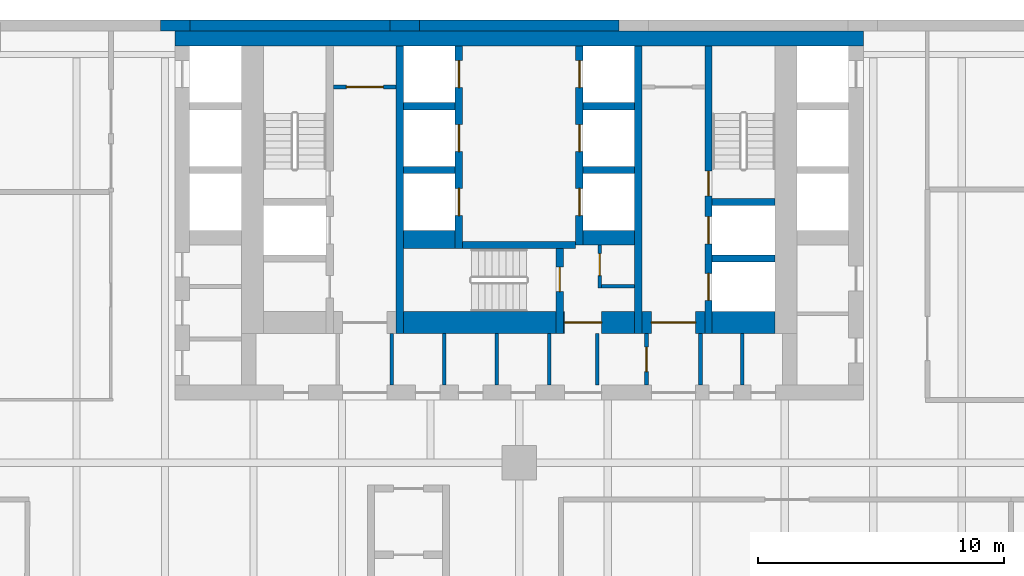
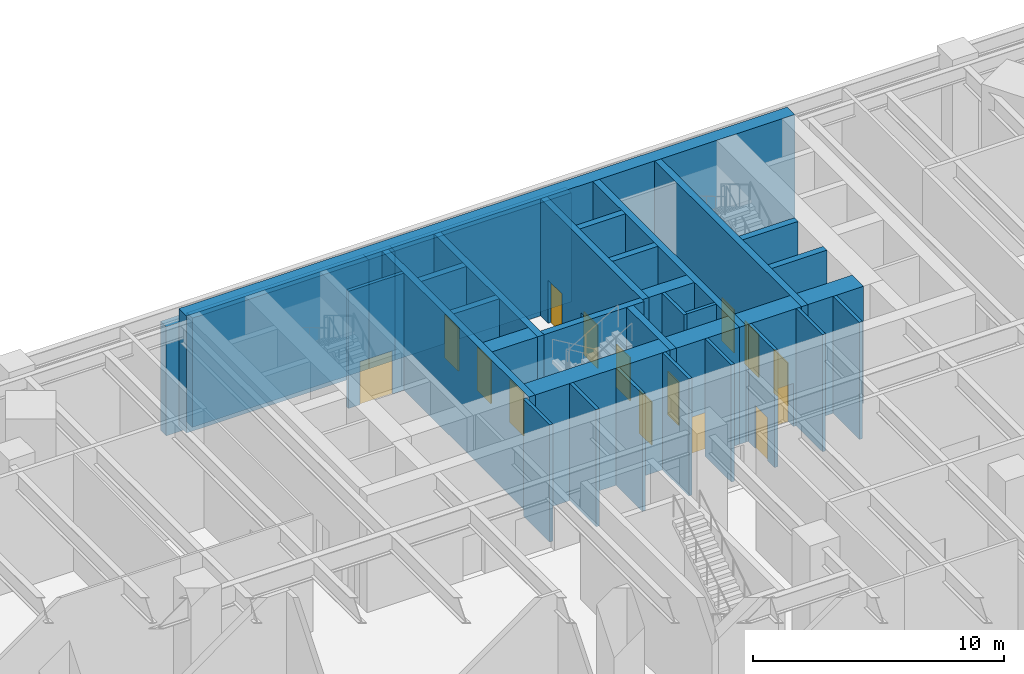
# One storey, part 33 of 37: 35 walls, 15 doors, 15 openings.
"""IFC4 building model written with IfcOpenShell, lengths in metres."""

from ifc_helpers import new_model, si_unit, direction, frame, frame_2d, origin, place, context, subcontext, project, spatial, rectangle, extrude, material, layer, layer_set, type_object, element, fill, save


model = new_model("IFC4")

# Units and contexts
model_context = context("Model", 3, precision=1e-05, world=origin(), true_north=direction((0.0, 1.0)))
body_context = subcontext(model_context, "Body", "Model", "MODEL_VIEW")
ifc_project = project(units=[si_unit("LENGTHUNIT", "METRE"), si_unit("AREAUNIT", "SQUARE_METRE"), si_unit("VOLUMEUNIT", "CUBIC_METRE"), si_unit("PLANEANGLEUNIT", "RADIAN"), si_unit("MASSUNIT", "GRAM", prefix="KILO")], contexts=[model_context])

# Site, building, storey
site_placement = place(None, origin())
site = spatial("IfcSite", under=ifc_project, at=site_placement, CompositionType="ELEMENT")
building_placement = place(site_placement, origin())
building = spatial("IfcBuilding", under=site, at=building_placement, Name="Aloe Facet Convention Tower", CompositionType="ELEMENT")
storey_placement = place(building_placement, frame((0.0, 0.0, 7.5)))
storey = spatial("IfcBuildingStorey", under=building, at=storey_placement, Name="L01", CompositionType="ELEMENT", Elevation=7.5)

# Wall, opening, door
ifc_material_1 = material(Name="Concrete blockwork partition", Category="masonry")
ifc_layer_1 = layer(ifc_material_1, 0.14990234375)
ifc_layer_set_1 = layer_set([ifc_layer_1], Name="CR-W-PART150")
wall_type_1 = type_object("IfcWallType", Name="CR-W-PART150", PredefinedType="PARTITIONING", material=ifc_layer_set_1)
wall_1_placement = place(storey_placement, frame((72.449951171875, 132.27490234375, 0.0), z_axis=(0.0, 0.0, 1.0), x_axis=(1.0, 0.0, 0.0)))
wall_1 = element("IfcWall", 1, at=wall_1_placement, inside=storey, type_object=wall_type_1, Name="Core partition L01-015", PredefinedType="PARTITIONING", context=body_context, shape_type="SweptSolid", body=[
    extrude(rectangle(XDim=2.550048828125, YDim=0.14990234375, at=frame_2d((1.27490234375, 0.0))), origin(), (0.0, 0.0, 1.0), 5.699951171875),
])
opening_1_placement = place(wall_1_placement, frame((0.52490234375, 0.0, 0.0)))
opening_1 = element("IfcOpeningElement", 2, at=opening_1_placement, cuts=wall_1, Name="Opening L01-CD21", PredefinedType="OPENING", context=body_context, shape_type="SweptSolid", body=[
    extrude(rectangle(XDim=1.5, YDim=2.10009765625, at=frame_2d((0.75, 1.050048828125))), frame((0.0, 0.0849609375, 0.0), z_axis=(0.0, -1.0, 0.0), x_axis=(1.0, 0.0, 0.0)), (0.0, 0.0, 1.0), 0.169921875),
])
ifc_material_2 = material(Name="Steel fire-resisting door set FD60", Category="steel")
door_type_1 = type_object("IfcDoorType", Name="CR-D-REFUGE-1500-FD60-DD", OperationType="DOUBLE_DOOR_DOUBLE_SWING", PredefinedType="DOOR", material=ifc_material_2)
door_1_placement = place(opening_1_placement, origin())
door_1 = element("IfcDoor", 3, at=door_1_placement, inside=storey, type_object=door_type_1, Name="Core door L01-CD21", OperationType="DOUBLE_DOOR_DOUBLE_SWING", OverallHeight=2.10009765625, OverallWidth=1.5, PredefinedType="DOOR", context=body_context, shape_type="SweptSolid", body=[
    extrude(rectangle(XDim=1.5, YDim=2.10009765625, at=frame_2d((0.75, 1.050048828125))), frame((0.0, 0.02490234375, 0.0), z_axis=(0.0, -1.0, 0.0), x_axis=(1.0, 0.0, 0.0)), (0.0, 0.0, 1.0), 0.050048828125),
])
fill(opening_1, door_1)

# Walls
for number, where, z_axis, x_axis, name in (
    (4, (74.824951171875, 122.25, 0.0), (0.0, 0.0, 1.0), (0.0, -1.0, 0.0), "Core partition L01-018"),
    (5, (76.958251953125, 122.25, 0.0), (0.0, 0.0, 1.0), (0.0, -1.0, 0.0), "Core partition L01-024"),
    (6, (79.091552734375, 122.25, 0.0), (0.0, 0.0, 1.0), (0.0, -1.0, 0.0), "Core partition L01-027"),
    (7, (81.22509765625, 122.25, 0.0), (0.0, 0.0, 1.0), (0.0, -1.0, 0.0), "Core partition L01-028"),
    (8, (83.175048828125, 122.25, 0.0), (0.0, 0.0, 1.0), (0.0, -1.0, 0.0), "Core partition L01-035"),
):
    element("IfcWall", number, at=place(storey_placement, frame(where, z_axis=z_axis, x_axis=x_axis)), inside=storey, type_object=wall_type_1, Name=name, PredefinedType="PARTITIONING", context=body_context, shape_type="SweptSolid", body=[
        extrude(rectangle(XDim=2.10009765625, YDim=0.14990234375, at=frame_2d((1.050048828125, 0.0))), origin(), (0.0, 0.0, 1.0), 5.699951171875),
    ])

# Wall, opening, door
wall_2_placement = place(storey_placement, frame((83.27490234375, 125.85009765625, 0.0), z_axis=(0.0, 0.0, 1.0), x_axis=(0.0, -1.0, 0.0)))
wall_2 = element("IfcWall", 9, at=wall_2_placement, inside=storey, type_object=wall_type_1, Name="Core partition L01-036", PredefinedType="PARTITIONING", context=body_context, shape_type="SweptSolid", body=[
    extrude(rectangle(XDim=1.75, YDim=0.14990234375, at=frame_2d((0.875, 0.0))), origin(), (0.0, 0.0, 1.0), 5.699951171875),
])
opening_2_placement = place(wall_2_placement, frame((0.35009765625, 0.0, 0.0)))
opening_2 = element("IfcOpeningElement", 10, at=opening_2_placement, cuts=wall_2, Name="Opening L01-CD19", PredefinedType="OPENING", context=body_context, shape_type="SweptSolid", body=[
    extrude(rectangle(XDim=0.89990234375, YDim=2.10009765625, at=frame_2d((0.449951171875, 1.050048828125))), frame((0.0, 0.0849609375, 0.0), z_axis=(0.0, -1.0, 0.0), x_axis=(1.0, 0.0, 0.0)), (0.0, 0.0, 1.0), 0.169921875),
])
ifc_material_3 = material(Name="Steel fire-resisting door set FD60", Category="steel")
door_type_2 = type_object("IfcDoorType", Name="CR-D-REFUGE-900-FD60-SRIGHT", OperationType="SINGLE_SWING_RIGHT", PredefinedType="DOOR", material=ifc_material_3)
door_2_placement = place(opening_2_placement, origin())
door_2 = element("IfcDoor", 11, at=door_2_placement, inside=storey, type_object=door_type_2, Name="Core door L01-CD19", OperationType="SINGLE_SWING_RIGHT", OverallHeight=2.10009765625, OverallWidth=0.89990234375, PredefinedType="DOOR", context=body_context, shape_type="SweptSolid", body=[
    extrude(rectangle(XDim=0.89990234375, YDim=2.10009765625, at=frame_2d((0.449951171875, 1.050048828125))), frame((0.0, 0.02490234375, 0.0), z_axis=(0.0, -1.0, 0.0), x_axis=(1.0, 0.0, 0.0)), (0.0, 0.0, 1.0), 0.050048828125),
])
fill(opening_2, door_2)

# Wall
wall_3_placement = place(storey_placement, frame((83.35009765625, 124.175048828125, 0.0), z_axis=(0.0, 0.0, 1.0), x_axis=(1.0, 0.0, 0.0)))
element("IfcWall", 12, at=wall_3_placement, inside=storey, type_object=wall_type_1, Name="Core partition L01-037", PredefinedType="PARTITIONING", context=body_context, shape_type="SweptSolid", body=[
    extrude(rectangle(XDim=1.349853515625, YDim=0.14990234375, at=frame_2d((0.6748046875, 0.0))), origin(), (0.0, 0.0, 1.0), 5.699951171875),
])

# Wall, opening, door
wall_4_placement = place(storey_placement, frame((85.175048828125, 122.25, 0.0), z_axis=(0.0, 0.0, 1.0), x_axis=(0.0, -1.0, 0.0)))
wall_4 = element("IfcWall", 13, at=wall_4_placement, inside=storey, type_object=wall_type_1, Name="Core partition L01-041", PredefinedType="PARTITIONING", context=body_context, shape_type="SweptSolid", body=[
    extrude(rectangle(XDim=2.10009765625, YDim=0.14990234375, at=frame_2d((1.050048828125, 0.0))), origin(), (0.0, 0.0, 1.0), 5.699951171875),
])
opening_3_placement = place(wall_4_placement, frame((0.550048828125, 0.0, 0.0)))
opening_3 = element("IfcOpeningElement", 14, at=opening_3_placement, cuts=wall_4, Name="Opening L01-CD27", PredefinedType="OPENING", context=body_context, shape_type="SweptSolid", body=[
    extrude(rectangle(XDim=1.0, YDim=2.10009765625, at=frame_2d((0.5, 1.050048828125))), frame((0.0, 0.0849609375, 0.0), z_axis=(0.0, -1.0, 0.0), x_axis=(1.0, 0.0, 0.0)), (0.0, 0.0, 1.0), 0.169921875),
])
ifc_material_4 = material(Name="Steel fire-resisting door set FD60", Category="steel")
door_type_3 = type_object("IfcDoorType", Name="CR-D-ROOM-1000-FD60-SRIGHT", OperationType="SINGLE_SWING_RIGHT", PredefinedType="DOOR", material=ifc_material_4)
door_3_placement = place(opening_3_placement, origin())
door_3 = element("IfcDoor", 15, at=door_3_placement, inside=storey, type_object=door_type_3, Name="Core door L01-CD27", OperationType="SINGLE_SWING_RIGHT", OverallHeight=2.10009765625, OverallWidth=1.0, PredefinedType="DOOR", context=body_context, shape_type="SweptSolid", body=[
    extrude(rectangle(XDim=1.0, YDim=2.10009765625, at=frame_2d((0.5, 1.050048828125))), frame((0.0, 0.02490234375, 0.0), z_axis=(0.0, -1.0, 0.0), x_axis=(1.0, 0.0, 0.0)), (0.0, 0.0, 1.0), 0.050048828125),
])
fill(opening_3, door_3)

# Walls
for number, where, z_axis, x_axis, name in (
    (16, (87.375, 122.25, 0.0), (0.0, 0.0, 1.0), (0.0, -1.0, 0.0), "Core partition L01-042"),
    (17, (89.074951171875, 122.25, 0.0), (0.0, 0.0, 1.0), (0.0, -1.0, 0.0), "Core partition L01-047"),
):
    element("IfcWall", number, at=place(storey_placement, frame(where, z_axis=z_axis, x_axis=x_axis)), inside=storey, type_object=wall_type_1, Name=name, PredefinedType="PARTITIONING", context=body_context, shape_type="SweptSolid", body=[
        extrude(rectangle(XDim=2.10009765625, YDim=0.14990234375, at=frame_2d((1.050048828125, 0.0))), origin(), (0.0, 0.0, 1.0), 5.699951171875),
    ])
ifc_material_5 = material(Name="Concrete C80/95", Category="concrete")
ifc_layer_2 = layer(ifc_material_5, 0.300048828125)
ifc_layer_set_2 = layer_set([ifc_layer_2], Name="CR-W-RC300-C8095")
wall_type_2 = type_object("IfcWallType", Name="CR-W-RC300-C8095", PredefinedType="SOLIDWALL", material=ifc_layer_set_2)
wall_5_placement = place(storey_placement, frame((75.14990234375, 133.949951171875, 0.0), z_axis=(0.0, 0.0, 1.0), x_axis=(0.0, -1.0, 0.0)))
element("IfcWall", 18, at=wall_5_placement, inside=storey, type_object=wall_type_2, Name="Core wall L01-019", PredefinedType="SOLIDWALL", context=body_context, shape_type="SweptSolid", body=[
    extrude(rectangle(XDim=11.699951171875, YDim=0.300048828125, at=frame_2d((5.85009765625, 0.0))), origin(), (0.0, 0.0, 1.0), 5.699951171875),
])
for number, where, z_axis, x_axis, name in (
    (19, (75.300048828125, 131.5, 0.0), (0.0, 0.0, 1.0), (1.0, 0.0, 0.0), "Core wall L01-020"),
    (20, (75.300048828125, 128.89990234375, 0.0), (0.0, 0.0, 1.0), (1.0, 0.0, 0.0), "Core wall L01-021"),
):
    element("IfcWall", number, at=place(storey_placement, frame(where, z_axis=z_axis, x_axis=x_axis)), inside=storey, type_object=wall_type_2, Name=name, PredefinedType="SOLIDWALL", context=body_context, shape_type="SweptSolid", body=[
        extrude(rectangle(XDim=2.099853515625, YDim=0.300048828125, at=frame_2d((1.0498046875, 0.0))), origin(), (0.0, 0.0, 1.0), 5.699951171875),
    ])

# Wall, openings, doors
wall_6_placement = place(storey_placement, frame((77.550048828125, 133.949951171875, 0.0), z_axis=(0.0, 0.0, 1.0), x_axis=(0.0, -1.0, 0.0)))
wall_6 = element("IfcWall", 21, at=wall_6_placement, inside=storey, type_object=wall_type_2, Name="Core wall L01-025", PredefinedType="SOLIDWALL", context=body_context, shape_type="SweptSolid", body=[
    extrude(rectangle(XDim=8.25, YDim=0.300048828125, at=frame_2d((4.125, 0.0))), origin(), (0.0, 0.0, 1.0), 5.699951171875),
])
opening_4_placement = place(wall_6_placement, frame((0.60009765625, 0.0, 0.0)))
opening_4 = element("IfcOpeningElement", 22, at=opening_4_placement, cuts=wall_6, Name="Opening LD-A1-L01", PredefinedType="OPENING", context=body_context, shape_type="SweptSolid", body=[
    extrude(rectangle(XDim=1.10009765625, YDim=2.10009765625, at=frame_2d((0.550048828125, 1.050048828125))), frame((0.0, 0.16015625, 0.0), z_axis=(0.0, -1.0, 0.0), x_axis=(1.0, 0.0, 0.0)), (0.0, 0.0, 1.0), 0.320068359375),
])
opening_5_placement = place(wall_6_placement, frame((3.199951171875, 0.0, 0.0)))
opening_5 = element("IfcOpeningElement", 23, at=opening_5_placement, cuts=wall_6, Name="Opening LD-A2-L01", PredefinedType="OPENING", context=body_context, shape_type="SweptSolid", body=[
    extrude(rectangle(XDim=1.10009765625, YDim=2.10009765625, at=frame_2d((0.550048828125, 1.050048828125))), frame((0.0, 0.16015625, 0.0), z_axis=(0.0, -1.0, 0.0), x_axis=(1.0, 0.0, 0.0)), (0.0, 0.0, 1.0), 0.320068359375),
])
opening_6_placement = place(wall_6_placement, frame((5.800048828125, 0.0, 0.0)))
opening_6 = element("IfcOpeningElement", 24, at=opening_6_placement, cuts=wall_6, Name="Opening LD-A3-L01", PredefinedType="OPENING", context=body_context, shape_type="SweptSolid", body=[
    extrude(rectangle(XDim=1.10009765625, YDim=2.10009765625, at=frame_2d((0.550048828125, 1.050048828125))), frame((0.0, 0.16015625, 0.0), z_axis=(0.0, -1.0, 0.0), x_axis=(1.0, 0.0, 0.0)), (0.0, 0.0, 1.0), 0.320068359375),
])
ifc_material_6 = material(Name="Stainless steel sliding landing door", Category="steel")
door_type_4 = type_object("IfcDoorType", Name="CR-LD-1100-FD60-RIGHT", OperationType="SLIDING_TO_RIGHT", PredefinedType="DOOR", material=ifc_material_6)
door_4_placement = place(opening_4_placement, origin())
door_4 = element("IfcDoor", 25, at=door_4_placement, inside=storey, type_object=door_type_4, Name="Landing door A1 L01", OperationType="SLIDING_TO_RIGHT", OverallHeight=2.10009765625, OverallWidth=1.10009765625, PredefinedType="DOOR", context=body_context, shape_type="SweptSolid", body=[
    extrude(rectangle(XDim=1.10009765625, YDim=2.10009765625, at=frame_2d((0.550048828125, 1.050048828125))), frame((0.0, 0.02490234375, 0.0), z_axis=(0.0, -1.0, 0.0), x_axis=(1.0, 0.0, 0.0)), (0.0, 0.0, 1.0), 0.050048828125),
])
fill(opening_4, door_4)
door_5_placement = place(opening_5_placement, origin())
door_5 = element("IfcDoor", 26, at=door_5_placement, inside=storey, type_object=door_type_4, Name="Landing door A2 L01", OperationType="SLIDING_TO_RIGHT", OverallHeight=2.10009765625, OverallWidth=1.10009765625, PredefinedType="DOOR", context=body_context, shape_type="SweptSolid", body=[
    extrude(rectangle(XDim=1.10009765625, YDim=2.10009765625, at=frame_2d((0.550048828125, 1.050048828125))), frame((0.0, 0.02490234375, 0.0), z_axis=(0.0, -1.0, 0.0), x_axis=(1.0, 0.0, 0.0)), (0.0, 0.0, 1.0), 0.050048828125),
])
fill(opening_5, door_5)
door_6_placement = place(opening_6_placement, origin())
door_6 = element("IfcDoor", 27, at=door_6_placement, inside=storey, type_object=door_type_4, Name="Landing door A3 L01", OperationType="SLIDING_TO_RIGHT", OverallHeight=2.10009765625, OverallWidth=1.10009765625, PredefinedType="DOOR", context=body_context, shape_type="SweptSolid", body=[
    extrude(rectangle(XDim=1.10009765625, YDim=2.10009765625, at=frame_2d((0.550048828125, 1.050048828125))), frame((0.0, 0.02490234375, 0.0), z_axis=(0.0, -1.0, 0.0), x_axis=(1.0, 0.0, 0.0)), (0.0, 0.0, 1.0), 0.050048828125),
])
fill(opening_6, door_6)

# Wall
wall_7_placement = place(storey_placement, frame((77.699951171875, 125.85009765625, 0.0), z_axis=(0.0, 0.0, 1.0), x_axis=(1.0, 0.0, 0.0)))
element("IfcWall", 28, at=wall_7_placement, inside=storey, type_object=wall_type_2, Name="Core wall L01-026", PredefinedType="SOLIDWALL", context=body_context, shape_type="SweptSolid", body=[
    extrude(rectangle(XDim=4.60009765625, YDim=0.300048828125, at=frame_2d((2.300048828125, 0.0))), origin(), (0.0, 0.0, 1.0), 5.699951171875),
])

# Wall, opening, door
wall_8_placement = place(storey_placement, frame((81.64990234375, 125.699951171875, 0.0), z_axis=(0.0, 0.0, 1.0), x_axis=(0.0, -1.0, 0.0)))
wall_8 = element("IfcWall", 29, at=wall_8_placement, inside=storey, type_object=wall_type_2, Name="Core wall L01-029", PredefinedType="SOLIDWALL", context=body_context, shape_type="SweptSolid", body=[
    extrude(rectangle(XDim=3.449951171875, YDim=0.300048828125, at=frame_2d((1.72509765625, 0.0))), origin(), (0.0, 0.0, 1.0), 5.699951171875),
])
opening_7_placement = place(wall_8_placement, frame((0.75, 0.0, 0.0)))
opening_7 = element("IfcOpeningElement", 30, at=opening_7_placement, cuts=wall_8, Name="Opening L01-CD32", PredefinedType="OPENING", context=body_context, shape_type="SweptSolid", body=[
    extrude(rectangle(XDim=1.0, YDim=2.10009765625, at=frame_2d((0.5, 1.050048828125))), frame((0.0, 0.16015625, 0.0), z_axis=(0.0, -1.0, 0.0), x_axis=(1.0, 0.0, 0.0)), (0.0, 0.0, 1.0), 0.320068359375),
])
ifc_material_7 = material(Name="Steel fire-resisting door set FD120", Category="steel")
door_type_5 = type_object("IfcDoorType", Name="CR-D-STAIR-1000-FD120-SLEFT", OperationType="SINGLE_SWING_LEFT", PredefinedType="DOOR", material=ifc_material_7)
door_7_placement = place(opening_7_placement, origin())
door_7 = element("IfcDoor", 31, at=door_7_placement, inside=storey, type_object=door_type_5, Name="Core door L01-CD32", OperationType="SINGLE_SWING_LEFT", OverallHeight=2.10009765625, OverallWidth=1.0, PredefinedType="DOOR", context=body_context, shape_type="SweptSolid", body=[
    extrude(rectangle(XDim=1.0, YDim=2.10009765625, at=frame_2d((0.5, 1.050048828125))), frame((0.0, 0.02490234375, 0.0), z_axis=(0.0, -1.0, 0.0), x_axis=(1.0, 0.0, 0.0)), (0.0, 0.0, 1.0), 0.050048828125),
])
fill(opening_7, door_7)

# Wall, openings, doors
wall_9_placement = place(storey_placement, frame((82.449951171875, 133.949951171875, 0.0), z_axis=(0.0, 0.0, 1.0), x_axis=(0.0, -1.0, 0.0)))
wall_9 = element("IfcWall", 32, at=wall_9_placement, inside=storey, type_object=wall_type_2, Name="Core wall L01-031", PredefinedType="SOLIDWALL", context=body_context, shape_type="SweptSolid", body=[
    extrude(rectangle(XDim=8.099853515625, YDim=0.300048828125, at=frame_2d((4.0498046875, 0.0))), origin(), (0.0, 0.0, 1.0), 5.699951171875),
])
opening_8_placement = place(wall_9_placement, frame((0.60009765625, 0.0, 0.0)))
opening_8 = element("IfcOpeningElement", 33, at=opening_8_placement, cuts=wall_9, Name="Opening LD-A4-L01", PredefinedType="OPENING", context=body_context, shape_type="SweptSolid", body=[
    extrude(rectangle(XDim=1.10009765625, YDim=2.10009765625, at=frame_2d((0.550048828125, 1.050048828125))), frame((0.0, 0.16015625, 0.0), z_axis=(0.0, -1.0, 0.0), x_axis=(1.0, 0.0, 0.0)), (0.0, 0.0, 1.0), 0.320068359375),
])
opening_9_placement = place(wall_9_placement, frame((3.199951171875, 0.0, 0.0)))
opening_9 = element("IfcOpeningElement", 34, at=opening_9_placement, cuts=wall_9, Name="Opening LD-A5-L01", PredefinedType="OPENING", context=body_context, shape_type="SweptSolid", body=[
    extrude(rectangle(XDim=1.10009765625, YDim=2.10009765625, at=frame_2d((0.550048828125, 1.050048828125))), frame((0.0, 0.16015625, 0.0), z_axis=(0.0, -1.0, 0.0), x_axis=(1.0, 0.0, 0.0)), (0.0, 0.0, 1.0), 0.320068359375),
])
opening_10_placement = place(wall_9_placement, frame((5.800048828125, 0.0, 0.0)))
opening_10 = element("IfcOpeningElement", 35, at=opening_10_placement, cuts=wall_9, Name="Opening LD-A6-L01", PredefinedType="OPENING", context=body_context, shape_type="SweptSolid", body=[
    extrude(rectangle(XDim=1.10009765625, YDim=2.10009765625, at=frame_2d((0.550048828125, 1.050048828125))), frame((0.0, 0.16015625, 0.0), z_axis=(0.0, -1.0, 0.0), x_axis=(1.0, 0.0, 0.0)), (0.0, 0.0, 1.0), 0.320068359375),
])
ifc_material_8 = material(Name="Stainless steel sliding landing door", Category="steel")
door_type_6 = type_object("IfcDoorType", Name="CR-LD-1100-FD60-_LEFT", OperationType="SLIDING_TO_LEFT", PredefinedType="DOOR", material=ifc_material_8)
door_8_placement = place(opening_8_placement, origin())
door_8 = element("IfcDoor", 36, at=door_8_placement, inside=storey, type_object=door_type_6, Name="Landing door A4 L01", OperationType="SLIDING_TO_LEFT", OverallHeight=2.10009765625, OverallWidth=1.10009765625, PredefinedType="DOOR", context=body_context, shape_type="SweptSolid", body=[
    extrude(rectangle(XDim=1.10009765625, YDim=2.10009765625, at=frame_2d((0.550048828125, 1.050048828125))), frame((0.0, 0.02490234375, 0.0), z_axis=(0.0, -1.0, 0.0), x_axis=(1.0, 0.0, 0.0)), (0.0, 0.0, 1.0), 0.050048828125),
])
fill(opening_8, door_8)
door_9_placement = place(opening_9_placement, origin())
door_9 = element("IfcDoor", 37, at=door_9_placement, inside=storey, type_object=door_type_6, Name="Landing door A5 L01", OperationType="SLIDING_TO_LEFT", OverallHeight=2.10009765625, OverallWidth=1.10009765625, PredefinedType="DOOR", context=body_context, shape_type="SweptSolid", body=[
    extrude(rectangle(XDim=1.10009765625, YDim=2.10009765625, at=frame_2d((0.550048828125, 1.050048828125))), frame((0.0, 0.02490234375, 0.0), z_axis=(0.0, -1.0, 0.0), x_axis=(1.0, 0.0, 0.0)), (0.0, 0.0, 1.0), 0.050048828125),
])
fill(opening_9, door_9)
door_10_placement = place(opening_10_placement, origin())
door_10 = element("IfcDoor", 38, at=door_10_placement, inside=storey, type_object=door_type_6, Name="Landing door A6 L01", OperationType="SLIDING_TO_LEFT", OverallHeight=2.10009765625, OverallWidth=1.10009765625, PredefinedType="DOOR", context=body_context, shape_type="SweptSolid", body=[
    extrude(rectangle(XDim=1.10009765625, YDim=2.10009765625, at=frame_2d((0.550048828125, 1.050048828125))), frame((0.0, 0.02490234375, 0.0), z_axis=(0.0, -1.0, 0.0), x_axis=(1.0, 0.0, 0.0)), (0.0, 0.0, 1.0), 0.050048828125),
])
fill(opening_10, door_10)

# Walls
for number, where, z_axis, x_axis, name in (
    (39, (82.60009765625, 131.5, 0.0), (0.0, 0.0, 1.0), (1.0, 0.0, 0.0), "Core wall L01-032"),
    (40, (82.60009765625, 128.89990234375, 0.0), (0.0, 0.0, 1.0), (1.0, 0.0, 0.0), "Core wall L01-033"),
):
    element("IfcWall", number, at=place(storey_placement, frame(where, z_axis=z_axis, x_axis=x_axis)), inside=storey, type_object=wall_type_2, Name=name, PredefinedType="SOLIDWALL", context=body_context, shape_type="SweptSolid", body=[
        extrude(rectangle(XDim=2.099853515625, YDim=0.300048828125, at=frame_2d((1.0498046875, 0.0))), origin(), (0.0, 0.0, 1.0), 5.699951171875),
    ])
wall_10_placement = place(storey_placement, frame((84.85009765625, 133.949951171875, 0.0), z_axis=(0.0, 0.0, 1.0), x_axis=(0.0, -1.0, 0.0)))
element("IfcWall", 41, at=wall_10_placement, inside=storey, type_object=wall_type_2, Name="Core wall L01-038", PredefinedType="SOLIDWALL", context=body_context, shape_type="SweptSolid", body=[
    extrude(rectangle(XDim=11.699951171875, YDim=0.300048828125, at=frame_2d((5.85009765625, 0.0))), origin(), (0.0, 0.0, 1.0), 5.699951171875),
])

# Wall, openings, doors
wall_11_placement = place(storey_placement, frame((87.699951171875, 133.949951171875, 0.0), z_axis=(0.0, 0.0, 1.0), x_axis=(0.0, -1.0, 0.0)))
wall_11 = element("IfcWall", 42, at=wall_11_placement, inside=storey, type_object=wall_type_2, Name="Core wall L01-043", PredefinedType="SOLIDWALL", context=body_context, shape_type="SweptSolid", body=[
    extrude(rectangle(XDim=11.699951171875, YDim=0.300048828125, at=frame_2d((5.85009765625, 0.0))), origin(), (0.0, 0.0, 1.0), 5.699951171875),
])
opening_11_placement = place(wall_11_placement, frame((6.949951171875, 0.0, 0.0)))
opening_11 = element("IfcOpeningElement", 43, at=opening_11_placement, cuts=wall_11, Name="Opening LD-FF2-L01", PredefinedType="OPENING", context=body_context, shape_type="SweptSolid", body=[
    extrude(rectangle(XDim=1.10009765625, YDim=2.10009765625, at=frame_2d((0.550048828125, 1.050048828125))), frame((0.0, 0.16015625, 0.0), z_axis=(0.0, -1.0, 0.0), x_axis=(1.0, 0.0, 0.0)), (0.0, 0.0, 1.0), 0.320068359375),
])
opening_12_placement = place(wall_11_placement, frame((5.10009765625, 0.0, 0.0)))
opening_12 = element("IfcOpeningElement", 44, at=opening_12_placement, cuts=wall_11, Name="Opening L01-CD31", PredefinedType="OPENING", context=body_context, shape_type="SweptSolid", body=[
    extrude(rectangle(XDim=1.0, YDim=2.10009765625, at=frame_2d((0.5, 1.050048828125))), frame((0.0, 0.16015625, 0.0), z_axis=(0.0, -1.0, 0.0), x_axis=(1.0, 0.0, 0.0)), (0.0, 0.0, 1.0), 0.320068359375),
])
opening_13_placement = place(wall_11_placement, frame((9.25, 0.0, 0.0)))
opening_13 = element("IfcOpeningElement", 45, at=opening_13_placement, cuts=wall_11, Name="Opening LD-SV1-L01", PredefinedType="OPENING", context=body_context, shape_type="SweptSolid", body=[
    extrude(rectangle(XDim=1.10009765625, YDim=2.10009765625, at=frame_2d((0.550048828125, 1.050048828125))), frame((0.0, 0.16015625, 0.0), z_axis=(0.0, -1.0, 0.0), x_axis=(1.0, 0.0, 0.0)), (0.0, 0.0, 1.0), 0.320068359375),
])
door_11_placement = place(opening_12_placement, origin())
door_11 = element("IfcDoor", 46, at=door_11_placement, inside=storey, type_object=door_type_5, Name="Core door L01-CD31", OperationType="SINGLE_SWING_LEFT", OverallHeight=2.10009765625, OverallWidth=1.0, PredefinedType="DOOR", context=body_context, shape_type="SweptSolid", body=[
    extrude(rectangle(XDim=1.0, YDim=2.10009765625, at=frame_2d((0.5, 1.050048828125))), frame((0.0, 0.02490234375, 0.0), z_axis=(0.0, -1.0, 0.0), x_axis=(1.0, 0.0, 0.0)), (0.0, 0.0, 1.0), 0.050048828125),
])
fill(opening_12, door_11)
ifc_material_9 = material(Name="Stainless steel sliding landing door", Category="steel")
door_type_7 = type_object("IfcDoorType", Name="CR-LD-1100-FD120-_LEFT", OperationType="SLIDING_TO_LEFT", PredefinedType="DOOR", material=ifc_material_9)
door_12_placement = place(opening_11_placement, origin())
door_12 = element("IfcDoor", 47, at=door_12_placement, inside=storey, type_object=door_type_7, Name="Landing door FF2 L01", OperationType="SLIDING_TO_LEFT", OverallHeight=2.10009765625, OverallWidth=1.10009765625, PredefinedType="DOOR", context=body_context, shape_type="SweptSolid", body=[
    extrude(rectangle(XDim=1.10009765625, YDim=2.10009765625, at=frame_2d((0.550048828125, 1.050048828125))), frame((0.0, 0.02490234375, 0.0), z_axis=(0.0, -1.0, 0.0), x_axis=(1.0, 0.0, 0.0)), (0.0, 0.0, 1.0), 0.050048828125),
])
fill(opening_11, door_12)
door_13_placement = place(opening_13_placement, origin())
door_13 = element("IfcDoor", 48, at=door_13_placement, inside=storey, type_object=door_type_7, Name="Landing door SV1 L01", OperationType="SLIDING_TO_LEFT", OverallHeight=2.10009765625, OverallWidth=1.10009765625, PredefinedType="DOOR", context=body_context, shape_type="SweptSolid", body=[
    extrude(rectangle(XDim=1.10009765625, YDim=2.10009765625, at=frame_2d((0.550048828125, 1.050048828125))), frame((0.0, 0.02490234375, 0.0), z_axis=(0.0, -1.0, 0.0), x_axis=(1.0, 0.0, 0.0)), (0.0, 0.0, 1.0), 0.050048828125),
])
fill(opening_13, door_13)

# Walls
for number, where, z_axis, x_axis, name in (
    (49, (87.85009765625, 127.60009765625, 0.0), (0.0, 0.0, 1.0), (1.0, 0.0, 0.0), "Core wall L01-044"),
    (50, (87.85009765625, 125.300048828125, 0.0), (0.0, 0.0, 1.0), (1.0, 0.0, 0.0), "Core wall L01-045"),
):
    element("IfcWall", number, at=place(storey_placement, frame(where, z_axis=z_axis, x_axis=x_axis)), inside=storey, type_object=wall_type_2, Name=name, PredefinedType="SOLIDWALL", context=body_context, shape_type="SweptSolid", body=[
        extrude(rectangle(XDim=2.5498046875, YDim=0.300048828125, at=frame_2d((1.27490234375, 0.0))), origin(), (0.0, 0.0, 1.0), 5.699951171875),
    ])
ifc_material_10 = material(Name="Concrete C80/95", Category="concrete")
ifc_layer_3 = layer(ifc_material_10, 0.60009765625)
ifc_layer_set_3 = layer_set([ifc_layer_3], Name="CR-W-RC600-C8095")
wall_type_3 = type_object("IfcWallType", Name="CR-W-RC600-C8095", PredefinedType="SOLIDWALL", material=ifc_layer_set_3)
wall_12_placement = place(storey_placement, frame((66.0, 134.25, 0.0), z_axis=(0.0, 0.0, 1.0), x_axis=(1.0, 0.0, 0.0)))
element("IfcWall", 51, at=wall_12_placement, inside=storey, type_object=wall_type_3, Name="Core wall L01-001", PredefinedType="SOLIDWALL", context=body_context, shape_type="SweptSolid", body=[
    extrude(rectangle(XDim=28.0, YDim=0.60009765625, at=frame_2d((14.0, 0.0))), origin(), (0.0, 0.0, 1.0), 5.699951171875),
])
wall_13_placement = place(storey_placement, frame((82.60009765625, 126.14990234375, 0.0), z_axis=(0.0, 0.0, 1.0), x_axis=(1.0, 0.0, 0.0)))
element("IfcWall", 52, at=wall_13_placement, inside=storey, type_object=wall_type_3, Name="Core wall L01-034", PredefinedType="SOLIDWALL", context=body_context, shape_type="SweptSolid", body=[
    extrude(rectangle(XDim=2.099853515625, YDim=0.60009765625, at=frame_2d((1.0498046875, 0.0))), origin(), (0.0, 0.0, 1.0), 5.699951171875),
])
ifc_material_11 = material(Name="Concrete C80/95", Category="concrete")
ifc_layer_4 = layer(ifc_material_11, 0.75)
ifc_layer_set_4 = layer_set([ifc_layer_4], Name="CR-W-RC750-C8095")
wall_type_4 = type_object("IfcWallType", Name="CR-W-RC750-C8095", PredefinedType="SOLIDWALL", material=ifc_layer_set_4)
wall_14_placement = place(storey_placement, frame((75.300048828125, 126.074951171875, 0.0), z_axis=(0.0, 0.0, 1.0), x_axis=(1.0, 0.0, 0.0)))
element("IfcWall", 53, at=wall_14_placement, inside=storey, type_object=wall_type_4, Name="Core wall L01-022", PredefinedType="SOLIDWALL", context=body_context, shape_type="SweptSolid", body=[
    extrude(rectangle(XDim=2.099853515625, YDim=0.75, at=frame_2d((1.0498046875, 0.0))), origin(), (0.0, 0.0, 1.0), 5.699951171875),
])
ifc_material_12 = material(Name="Concrete C80/95", Category="concrete")
ifc_layer_5 = layer(ifc_material_12, 0.89990234375)
ifc_layer_set_5 = layer_set([ifc_layer_5], Name="CR-W-RC900-C8095")
wall_type_5 = type_object("IfcWallType", Name="CR-W-RC900-C8095", PredefinedType="SOLIDWALL", material=ifc_layer_set_5)
wall_15_placement = place(storey_placement, frame((75.300048828125, 122.699951171875, 0.0), z_axis=(0.0, 0.0, 1.0), x_axis=(1.0, 0.0, 0.0)))
element("IfcWall", 54, at=wall_15_placement, inside=storey, type_object=wall_type_5, Name="Core wall L01-023", PredefinedType="SOLIDWALL", context=body_context, shape_type="SweptSolid", body=[
    extrude(rectangle(XDim=6.199951171875, YDim=0.89990234375, at=frame_2d((3.10009765625, 0.0))), origin(), (0.0, 0.0, 1.0), 5.699951171875),
])

# Wall, opening, door
wall_16_placement = place(storey_placement, frame((81.800048828125, 122.699951171875, 0.0), z_axis=(0.0, 0.0, 1.0), x_axis=(1.0, 0.0, 0.0)))
wall_16 = element("IfcWall", 55, at=wall_16_placement, inside=storey, type_object=wall_type_5, Name="Core wall L01-030", PredefinedType="SOLIDWALL", context=body_context, shape_type="SweptSolid", body=[
    extrude(rectangle(XDim=2.89990234375, YDim=0.89990234375, at=frame_2d((1.449951171875, 0.0))), origin(), (0.0, 0.0, 1.0), 5.699951171875),
])
opening_14_placement = place(wall_16_placement, frame((0.050048828125, 0.0, 0.0)))
opening_14 = element("IfcOpeningElement", 56, at=opening_14_placement, cuts=wall_16, Name="Opening L01-CD15", PredefinedType="OPENING", context=body_context, shape_type="SweptSolid", body=[
    extrude(rectangle(XDim=1.5, YDim=2.10009765625, at=frame_2d((0.75, 1.050048828125))), frame((0.0, 0.4599609375, 0.0), z_axis=(0.0, -1.0, 0.0), x_axis=(1.0, 0.0, 0.0)), (0.0, 0.0, 1.0), 0.919921875),
])
ifc_material_13 = material(Name="Steel fire-resisting door set FD60", Category="steel")
door_type_8 = type_object("IfcDoorType", Name="CR-D-EXIT-1500-FD60-DD", OperationType="DOUBLE_DOOR_DOUBLE_SWING", PredefinedType="DOOR", material=ifc_material_13)
door_14_placement = place(opening_14_placement, origin())
door_14 = element("IfcDoor", 57, at=door_14_placement, inside=storey, type_object=door_type_8, Name="Core door L01-CD15", OperationType="DOUBLE_DOOR_DOUBLE_SWING", OverallHeight=2.10009765625, OverallWidth=1.5, PredefinedType="DOOR", context=body_context, shape_type="SweptSolid", body=[
    extrude(rectangle(XDim=1.5, YDim=2.10009765625, at=frame_2d((0.75, 1.050048828125))), frame((0.0, 0.02490234375, 0.0), z_axis=(0.0, -1.0, 0.0), x_axis=(1.0, 0.0, 0.0)), (0.0, 0.0, 1.0), 0.050048828125),
])
fill(opening_14, door_14)

wall_17_placement = place(storey_placement, frame((85.0, 122.699951171875, 0.0), z_axis=(0.0, 0.0, 1.0), x_axis=(1.0, 0.0, 0.0)))
wall_17 = element("IfcWall", 58, at=wall_17_placement, inside=storey, type_object=wall_type_5, Name="Core wall L01-040", PredefinedType="SOLIDWALL", context=body_context, shape_type="SweptSolid", body=[
    extrude(rectangle(XDim=2.550048828125, YDim=0.89990234375, at=frame_2d((1.27490234375, 0.0))), origin(), (0.0, 0.0, 1.0), 5.699951171875),
])
opening_15_placement = place(wall_17_placement, frame((0.375, 0.0, 0.0)))
opening_15 = element("IfcOpeningElement", 59, at=opening_15_placement, cuts=wall_17, Name="Opening L01-CD13", PredefinedType="OPENING", context=body_context, shape_type="SweptSolid", body=[
    extrude(rectangle(XDim=1.800048828125, YDim=2.10009765625, at=frame_2d((0.89990234375, 1.050048828125))), frame((0.0, 0.4599609375, 0.0), z_axis=(0.0, -1.0, 0.0), x_axis=(1.0, 0.0, 0.0)), (0.0, 0.0, 1.0), 0.919921875),
])
ifc_material_14 = material(Name="Steel fire-resisting door set FD120", Category="steel")
door_type_9 = type_object("IfcDoorType", Name="CR-D-EXIT-1800-FD120-DD", OperationType="DOUBLE_DOOR_DOUBLE_SWING", PredefinedType="DOOR", material=ifc_material_14)
door_15_placement = place(opening_15_placement, origin())
door_15 = element("IfcDoor", 60, at=door_15_placement, inside=storey, type_object=door_type_9, Name="Core door L01-CD13", OperationType="DOUBLE_DOOR_DOUBLE_SWING", OverallHeight=2.10009765625, OverallWidth=1.800048828125, PredefinedType="DOOR", context=body_context, shape_type="SweptSolid", body=[
    extrude(rectangle(XDim=1.800048828125, YDim=2.10009765625, at=frame_2d((0.89990234375, 1.050048828125))), frame((0.0, 0.02490234375, 0.0), z_axis=(0.0, -1.0, 0.0), x_axis=(1.0, 0.0, 0.0)), (0.0, 0.0, 1.0), 0.050048828125),
])
fill(opening_15, door_15)

# Walls
wall_18_placement = place(storey_placement, frame((87.85009765625, 122.699951171875, 0.0), z_axis=(0.0, 0.0, 1.0), x_axis=(1.0, 0.0, 0.0)))
element("IfcWall", 61, at=wall_18_placement, inside=storey, type_object=wall_type_5, Name="Core wall L01-046", PredefinedType="SOLIDWALL", context=body_context, shape_type="SweptSolid", body=[
    extrude(rectangle(XDim=2.5498046875, YDim=0.89990234375, at=frame_2d((1.27490234375, 0.0))), origin(), (0.0, 0.0, 1.0), 5.699951171875),
])
ifc_material_15 = material(Name="Precast concrete C40/50", Category="concrete")
ifc_layer_6 = layer(ifc_material_15, 0.449951171875)
ifc_layer_set_6 = layer_set([ifc_layer_6], Name="EV-WALL-STONE")
wall_type_6 = type_object("IfcWallType", Name="EV-WALL-STONE", PredefinedType="SOLIDWALL", material=ifc_layer_set_6)
wall_19_placement = place(storey_placement, frame((84.060791015625, 134.77490234375, -0.300048828125), z_axis=(0.0, 0.0, 1.0), x_axis=(-1.0, 0.0, 0.0)))
element("IfcWall", 62, at=wall_19_placement, inside=storey, type_object=wall_type_6, Name="PW-L01-N12", PredefinedType="SOLIDWALL", context=body_context, shape_type="SweptSolid", body=[
    extrude(rectangle(XDim=8.12158203125, YDim=0.449951171875, at=frame_2d((4.060791015625, 0.0))), origin(), (0.0, 0.0, 1.0), 5.3125),
])
wall_20_placement = place(storey_placement, frame((75.939208984375, 134.77490234375, -0.300048828125), z_axis=(0.0, 0.0, 1.0), x_axis=(-1.0, 0.0, 0.0)))
element("IfcWall", 63, at=wall_20_placement, inside=storey, type_object=wall_type_6, Name="PW-L01-N13", PredefinedType="SOLIDWALL", context=body_context, shape_type="SweptSolid", body=[
    extrude(rectangle(XDim=1.199951171875, YDim=0.449951171875, at=frame_2d((0.60009765625, 0.0))), origin(), (0.0, 0.0, 1.0), 5.3125),
])
wall_21_placement = place(storey_placement, frame((74.7392578125, 134.77490234375, -0.300048828125), z_axis=(0.0, 0.0, 1.0), x_axis=(-1.0, 0.0, 0.0)))
element("IfcWall", 64, at=wall_21_placement, inside=storey, type_object=wall_type_6, Name="PW-L01-N14", PredefinedType="SOLIDWALL", context=body_context, shape_type="SweptSolid", body=[
    extrude(rectangle(XDim=8.121337890625, YDim=0.449951171875, at=frame_2d((4.060546875, 0.0))), origin(), (0.0, 0.0, 1.0), 5.3125),
])
wall_22_placement = place(storey_placement, frame((66.617919921875, 134.77490234375, -0.300048828125), z_axis=(0.0, 0.0, 1.0), x_axis=(-1.0, 0.0, 0.0)))
element("IfcWall", 65, at=wall_22_placement, inside=storey, type_object=wall_type_6, Name="PW-L01-N15", PredefinedType="SOLIDWALL", context=body_context, shape_type="SweptSolid", body=[
    extrude(rectangle(XDim=1.199951171875, YDim=0.449951171875, at=frame_2d((0.60009765625, 0.0))), origin(), (0.0, 0.0, 1.0), 5.3125),
])

save(model, "model.ifc")
